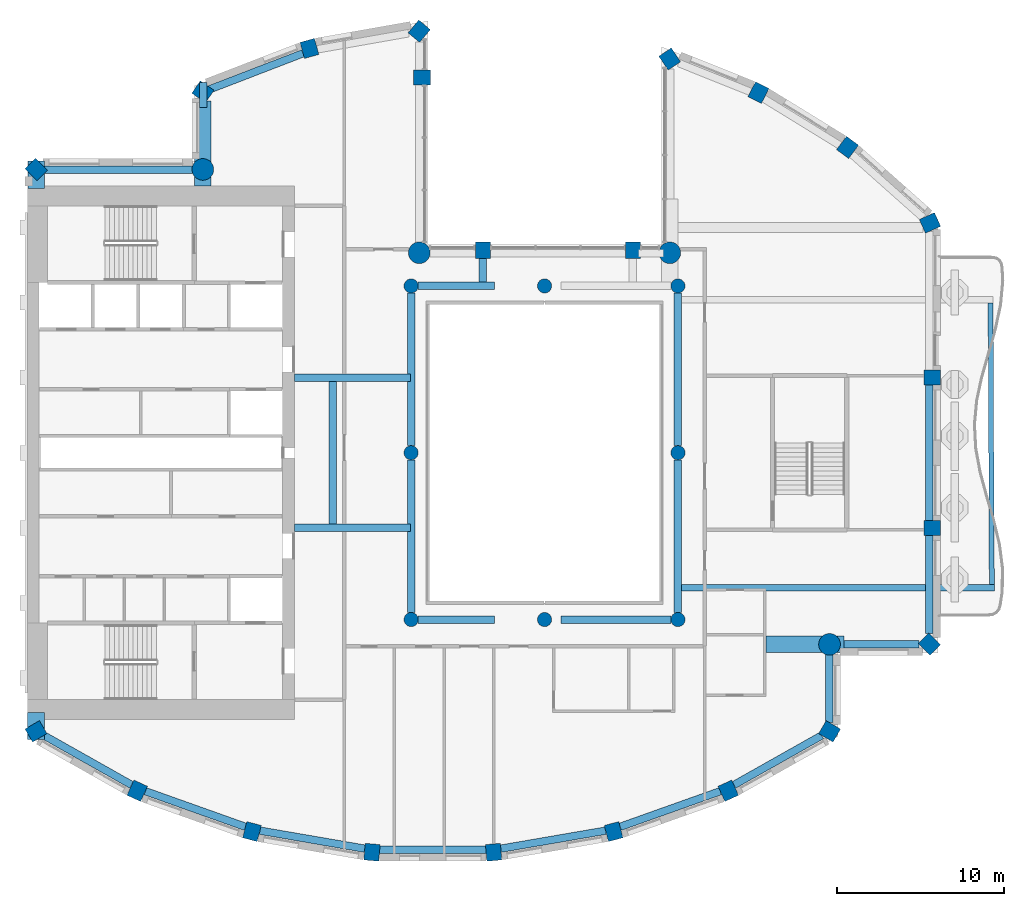
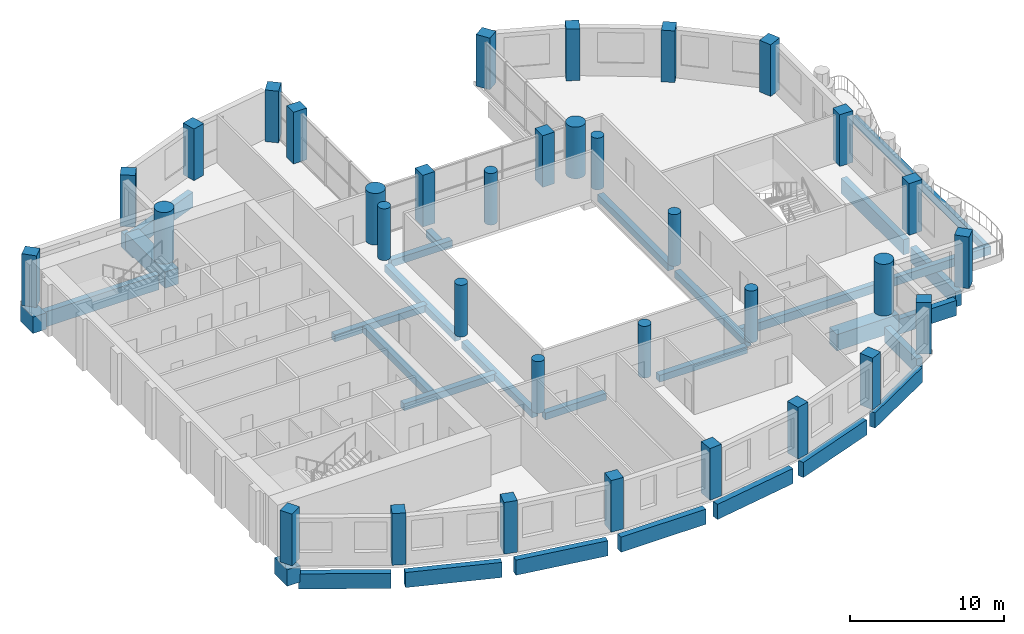
# One storey, part 1 of 15: 34 columns, 31 beams.
"""IFC4 building model written with IfcOpenShell, lengths in metres."""

from ifc_helpers import new_model, si_unit, direction, frame, origin, origin_2d, place, context, subcontext, project, spatial, rectangle, circle, extrude, material, material_profile, profile_set, type_object, element, save


model = new_model("IFC4")

# Units and contexts
model_context = context("Model", 3, precision=1e-05, world=origin(), true_north=direction((0.0, 1.0)))
body_context = subcontext(model_context, "Body", "Model", "MODEL_VIEW")
ifc_project = project(units=[si_unit("LENGTHUNIT", "METRE"), si_unit("AREAUNIT", "SQUARE_METRE"), si_unit("VOLUMEUNIT", "CUBIC_METRE"), si_unit("PLANEANGLEUNIT", "RADIAN"), si_unit("MASSUNIT", "GRAM", prefix="KILO")], contexts=[model_context])

# Site, building, storey
site_placement = place(None, origin())
site = spatial("IfcSite", under=ifc_project, at=site_placement, CompositionType="ELEMENT")
building_placement = place(site_placement, origin())
building = spatial("IfcBuilding", under=site, at=building_placement, Name="Cypress Arch Tower", CompositionType="ELEMENT")
storey_placement = place(building_placement, frame((0.0, 0.0, 243.39990234375)))
storey = spatial("IfcBuildingStorey", under=building, at=storey_placement, Name="L54", CompositionType="ELEMENT", Elevation=243.39990234375)

# Columns
ifc_material_1 = material(Name="Concrete C60/75", Category="concrete")
ifc_material_profile_1 = material_profile(ifc_material_1, rectangle(XDim=0.89990234375, YDim=1.0, at=origin_2d()), Name="RC 900x1000")
ifc_profile_set_1 = profile_set([ifc_material_profile_1], Name="Concrete C60/75")
column_type_1 = type_object("IfcColumnType", Name="Column RC 900x1000 Concrete C60/75", PredefinedType="COLUMN", material=ifc_profile_set_1)
for number, where, z_axis, x_axis, name in (
    (1, (8.5029296875, 23.606201171875, 0.0), (0.0, 0.0, 1.0), (-0.828469606019, -0.560034027451, 0.0), "Column L54 CC00"),
    (2, (6.300048828125, 12.14990234375, 0.0), (0.0, 0.0, 1.0), (-1.0, 0.0, 0.0), "Column L54 CC02"),
    (3, (-2.699951171875, 12.14990234375, 0.0), (0.0, 0.0, 1.0), (-1.0, 0.0, 0.0), "Column L54 CC03"),
    (4, (-6.35009765625, 22.5, 0.0), (0.0, 0.0, 1.0), (0.0, 1.0, 0.0), "Column L54 CC05"),
    (5, (-6.51611328125, 25.27490234375, 0.0), (0.0, 0.0, 1.0), (-0.766063514674, 0.642764880407, 0.0), "Column L54 CC06"),
    (6, (-13.0947265625, 24.241455078125, 0.0), (0.0, 0.0, 1.0), (-0.96345574646, -0.267867550506, 0.0), "Column L54 CC07"),
    (7, (-19.483154296875, 21.645263671875, 0.0), (0.0, 0.0, 1.0), (-0.565892599589, -0.824478966215, 0.0), "Column L54 CC08"),
    (8, (-29.478271484375, 16.978271484375, 0.0), (0.0, 0.0, 1.0), (-0.707106781187, -0.707106781187, 0.0), "Column L54 CC10"),
    (9, (-29.4912109375, -16.702880859375, 0.0), (0.0, 0.0, 1.0), (0.504399289829, -0.86347053014, 0.0), "Column L54 CC11"),
    (10, (-23.4189453125, -20.266845703125, 0.0), (0.0, 0.0, 1.0), (0.909932071487, -0.414757308891, 0.0), "Column L54 CC12"),
    (11, (-16.541748046875, -22.714599609375, 0.0), (0.0, 0.0, 1.0), (0.96735573689, -0.2534223319, 0.0), "Column L54 CC13"),
    (12, (-9.346923828125, -23.95361328125, 0.0), (0.0, 0.0, 1.0), (0.996368206733, -0.085149260784, 0.0), "Column L54 CC14"),
    (13, (-2.052978515625, -23.95361328125, 0.0), (0.0, 0.0, 1.0), (0.996368206733, 0.085149260784, 0.0), "Column L54 CC15"),
    (14, (5.1416015625, -22.714599609375, 0.0), (0.0, 0.0, 1.0), (0.96735573689, 0.2534223319, 0.0), "Column L54 CC16"),
    (15, (12.01904296875, -20.266845703125, 0.0), (0.0, 0.0, 1.0), (0.909932071487, 0.414757308891, 0.0), "Column L54 CC17"),
    (16, (18.09130859375, -16.702880859375, 0.0), (0.0, 0.0, 1.0), (0.504399289829, 0.86347053014, 0.0), "Column L54 CC18"),
    (17, (24.078369140625, -11.478271484375, 0.0), (0.0, 0.0, 1.0), (0.707106781187, 0.707106781187, 0.0), "Column L54 CC20"),
    (18, (24.25, -4.5, 0.0), (0.0, 0.0, 1.0), (0.0, 1.0, 0.0), "Column L54 CC21"),
    (19, (24.25, 4.5, 0.0), (0.0, 0.0, 1.0), (0.0, 1.0, 0.0), "Column L54 CC22"),
    (20, (24.109619140625, 13.77978515625, 0.0), (0.0, 0.0, 1.0), (-0.409765058504, 0.912191096662, 0.0), "Column L54 CC23"),
    (21, (19.168212890625, 18.307861328125, 0.0), (0.0, 0.0, 1.0), (-0.802798546114, 0.596250362144, 0.0), "Column L54 CC24"),
    (22, (13.82568359375, 21.59375, 0.0), (0.0, 0.0, 1.0), (-0.893106499805, 0.44984528452, 0.0), "Column L54 CC25"),
):
    element("IfcColumn", number, at=place(storey_placement, frame(where, z_axis=z_axis, x_axis=x_axis)), inside=storey, type_object=column_type_1, Name=name, PredefinedType="COLUMN", context=body_context, shape_type="SweptSolid", body=[
        extrude(rectangle(XDim=0.89990234375, YDim=1.0, at=origin_2d()), origin(), (0.0, 0.0, 1.0), 4.10009765625),
    ])
ifc_material_2 = material(Name="Concrete C60/75", Category="concrete")
ifc_material_profile_2 = material_profile(ifc_material_2, circle(Radius=0.425048828125, at=origin_2d()), Name="RC D850")
ifc_profile_set_2 = profile_set([ifc_material_profile_2], Name="Concrete C60/75")
column_type_2 = type_object("IfcColumnType", Name="Column RC D850 Concrete C60/75", PredefinedType="COLUMN", material=ifc_profile_set_2)
for number, where, z_axis, x_axis, name in (
    (23, (-7.0, -10.0, 0.0), (0.0, 0.0, 1.0), (1.0, 0.0, 0.0), "Column L54 RNG-L54-G-7-10"),
    (24, (-7.0, 0.0, 0.0), (0.0, 0.0, 1.0), (1.0, 0.0, 0.0), "Column L54 RNG-L54-G-7+0"),
    (25, (-7.0, 10.0, 0.0), (0.0, 0.0, 1.0), (1.0, 0.0, 0.0), "Column L54 RNG-L54-G-7+10"),
    (26, (1.0, -10.0, 0.0), (0.0, 0.0, 1.0), (1.0, 0.0, 0.0), "Column L54 RNG-L54-G+1-10"),
    (27, (1.0, 10.0, 0.0), (0.0, 0.0, 1.0), (1.0, 0.0, 0.0), "Column L54 RNG-L54-G+1+10"),
    (28, (9.0, -10.0, 0.0), (0.0, 0.0, 1.0), (1.0, 0.0, 0.0), "Column L54 RNG-L54-G+9-10"),
    (29, (9.0, 0.0, 0.0), (0.0, 0.0, 1.0), (1.0, 0.0, 0.0), "Column L54 RNG-L54-G+9+0"),
    (30, (9.0, 10.0, 0.0), (0.0, 0.0, 1.0), (1.0, 0.0, 0.0), "Column L54 RNG-L54-G+9+10"),
):
    element("IfcColumn", number, at=place(storey_placement, frame(where, z_axis=z_axis, x_axis=x_axis)), inside=storey, type_object=column_type_2, Name=name, PredefinedType="COLUMN", context=body_context, shape_type="SweptSolid", body=[
        extrude(circle(Radius=0.425048828125, at=origin_2d()), origin(), (0.0, 0.0, 1.0), 4.10009765625),
    ])
ifc_material_3 = material(Name="Concrete C60/75", Category="concrete")
ifc_material_profile_3 = material_profile(ifc_material_3, circle(Radius=0.64990234375, at=origin_2d()), Name="RC D1300")
ifc_profile_set_3 = profile_set([ifc_material_profile_3], Name="Concrete C60/75")
column_type_3 = type_object("IfcColumnType", Name="Mega-column RC D1300 Concrete C60/75", PredefinedType="COLUMN", material=ifc_profile_set_3)
for number, where, z_axis, x_axis, name in (
    (31, (8.51220703125, 11.98779296875, 0.0), (0.0, 0.0, 1.0), (1.0, 0.0, 0.0), "Column L54 CC01"),
    (32, (-6.51220703125, 11.98779296875, 0.0), (0.0, 0.0, 1.0), (1.0, 0.0, 0.0), "Column L54 CC04"),
    (33, (-19.48779296875, 16.98779296875, 0.0), (0.0, 0.0, 1.0), (1.0, 0.0, 0.0), "Column L54 CC09"),
    (34, (18.087890625, -11.48779296875, 0.0), (0.0, 0.0, 1.0), (1.0, 0.0, 0.0), "Column L54 CC19"),
):
    element("IfcColumn", number, at=place(storey_placement, frame(where, z_axis=z_axis, x_axis=x_axis)), inside=storey, type_object=column_type_3, Name=name, PredefinedType="COLUMN", context=body_context, shape_type="SweptSolid", body=[
        extrude(circle(Radius=0.64990234375, at=origin_2d()), origin(), (0.0, 0.0, 1.0), 4.10009765625),
    ])

# Beams
ifc_material_4 = material(Name="Concrete C50/60", Category="concrete")
ifc_material_profile_4 = material_profile(ifc_material_4, rectangle(XDim=0.300048828125, YDim=0.64990234375, at=origin_2d()), Name="RC 300x650")
ifc_profile_set_4 = profile_set([ifc_material_profile_4], Name="Concrete C50/60")
beam_type_1 = type_object("IfcBeamType", Name="Balcony edge beam RC 300x650 Concrete C50/60", PredefinedType="BEAM", material=ifc_profile_set_4)
beam_1_placement = place(storey_placement, frame((27.81787109375, -7.89990234375, -0.625), z_axis=(-0.004294909122, 0.999990776835, 0.0), x_axis=(-0.999990776835, -0.004294909122, 0.0)))
element("IfcBeam", 35, at=beam_1_placement, inside=storey, type_object=beam_type_1, Name="Balcony edge beam L54 C17", PredefinedType="BEAM", context=body_context, shape_type="SweptSolid", body=[
    extrude(rectangle(XDim=0.300048828125, YDim=0.64990234375, at=origin_2d()), origin(), (0.0, 0.0, 1.0), 16.8828125),
])
ifc_material_5 = material(Name="Concrete C50/60", Category="concrete")
ifc_material_profile_5 = material_profile(ifc_material_5, rectangle(XDim=0.39990234375, YDim=0.64990234375, at=origin_2d()), Name="RC 400x650")
ifc_profile_set_5 = profile_set([ifc_material_profile_5], Name="Concrete C50/60")
beam_type_2 = type_object("IfcBeamType", Name="Cantilever beam RC 400x650 Concrete C50/60", PredefinedType="BEAM", material=ifc_profile_set_5)
beam_2_placement = place(storey_placement, frame((9.22509765625, -8.10009765625, -0.625), z_axis=(1.0, 0.0, 0.0), x_axis=(0.0, 1.0, 0.0)))
element("IfcBeam", 36, at=beam_2_placement, inside=storey, type_object=beam_type_2, Name="Cantilever beam L54 C17 1", PredefinedType="BEAM", context=body_context, shape_type="SweptSolid", body=[
    extrude(rectangle(XDim=0.39990234375, YDim=0.64990234375, at=origin_2d()), origin(), (0.0, 0.0, 1.0), 18.742919921875),
])
ifc_material_6 = material(Name="Concrete C50/60", Category="concrete")
ifc_material_profile_6 = material_profile(ifc_material_6, rectangle(XDim=0.449951171875, YDim=0.550048828125, at=origin_2d()), Name="RC 450x550")
ifc_profile_set_6 = profile_set([ifc_material_profile_6], Name="Concrete C50/60")
beam_type_3 = type_object("IfcBeamType", Name="Floor beam RC 450x550 Concrete C50/60", PredefinedType="BEAM", material=ifc_profile_set_6)
for number, where, z_axis, x_axis, name in (
    (37, (-7.0, -9.574951171875, -0.574951171875), (0.0, 1.0, 0.0), (-1.0, 0.0, 0.0), "Floor beam L54 RB001"),
    (38, (-7.0, 0.425048828125, -0.574951171875), (0.0, 1.0, 0.0), (-1.0, 0.0, 0.0), "Floor beam L54 RB002"),
    (39, (9.0, -9.574951171875, -0.574951171875), (0.0, 1.0, 0.0), (-1.0, 0.0, 0.0), "Floor beam L54 RB003"),
    (40, (9.0, 0.425048828125, -0.574951171875), (0.0, 1.0, 0.0), (-1.0, 0.0, 0.0), "Floor beam L54 RB004"),
):
    element("IfcBeam", number, at=place(storey_placement, frame(where, z_axis=z_axis, x_axis=x_axis)), inside=storey, type_object=beam_type_3, Name=name, PredefinedType="BEAM", context=body_context, shape_type="SweptSolid", body=[
        extrude(rectangle(XDim=0.449951171875, YDim=0.550048828125, at=origin_2d()), origin(), (0.0, 0.0, 1.0), 9.14990234375),
    ])
beam_3_placement = place(storey_placement, frame((-6.574951171875, -10.0, -0.574951171875), z_axis=(1.0, 0.0, 0.0), x_axis=(0.0, 1.0, 0.0)))
element("IfcBeam", 41, at=beam_3_placement, inside=storey, type_object=beam_type_3, Name="Floor beam L54 RB005", PredefinedType="BEAM", context=body_context, shape_type="SweptSolid", body=[
    extrude(rectangle(XDim=0.449951171875, YDim=0.550048828125, at=origin_2d()), origin(), (0.0, 0.0, 1.0), 4.574951171875),
])
beam_4_placement = place(storey_placement, frame((2.0, -10.0, -0.574951171875), z_axis=(1.0, 0.0, 0.0), x_axis=(0.0, 1.0, 0.0)))
element("IfcBeam", 42, at=beam_4_placement, inside=storey, type_object=beam_type_3, Name="Floor beam L54 RB006", PredefinedType="BEAM", context=body_context, shape_type="SweptSolid", body=[
    extrude(rectangle(XDim=0.449951171875, YDim=0.550048828125, at=origin_2d()), origin(), (0.0, 0.0, 1.0), 6.574951171875),
])
beam_5_placement = place(storey_placement, frame((-6.574951171875, 10.0, -0.574951171875), z_axis=(1.0, 0.0, 0.0), x_axis=(0.0, 1.0, 0.0)))
element("IfcBeam", 43, at=beam_5_placement, inside=storey, type_object=beam_type_3, Name="Floor beam L54 RB007", PredefinedType="BEAM", context=body_context, shape_type="SweptSolid", body=[
    extrude(rectangle(XDim=0.449951171875, YDim=0.550048828125, at=origin_2d()), origin(), (0.0, 0.0, 1.0), 4.574951171875),
])
for number, where, z_axis, x_axis, name in (
    (44, (-14.0, -4.5, -0.574951171875), (1.0, 0.0, 0.0), (0.0, 1.0, 0.0), "Floor beam L54 FB009"),
    (45, (-14.0, 4.5, -0.574951171875), (1.0, 0.0, 0.0), (0.0, 1.0, 0.0), "Floor beam L54 FB010"),
):
    element("IfcBeam", number, at=place(storey_placement, frame(where, z_axis=z_axis, x_axis=x_axis)), inside=storey, type_object=beam_type_3, Name=name, PredefinedType="BEAM", context=body_context, shape_type="SweptSolid", body=[
        extrude(rectangle(XDim=0.449951171875, YDim=0.550048828125, at=origin_2d()), origin(), (0.0, 0.0, 1.0), 6.949951171875),
    ])
beam_6_placement = place(storey_placement, frame((-11.699951171875, -4.27490234375, -0.574951171875), z_axis=(0.0, 1.0, 0.0), x_axis=(-1.0, 0.0, 0.0)))
element("IfcBeam", 46, at=beam_6_placement, inside=storey, type_object=beam_type_3, Name="Floor beam L54 FB012", PredefinedType="BEAM", context=body_context, shape_type="SweptSolid", body=[
    extrude(rectangle(XDim=0.449951171875, YDim=0.550048828125, at=origin_2d()), origin(), (0.0, 0.0, 1.0), 8.5498046875),
])
beam_7_placement = place(storey_placement, frame((-2.699951171875, 10.22509765625, -0.574951171875), z_axis=(0.0, 1.0, 0.0), x_axis=(-1.0, 0.0, 0.0)))
element("IfcBeam", 47, at=beam_7_placement, inside=storey, type_object=beam_type_3, Name="Floor beam L54 FB013", PredefinedType="BEAM", context=body_context, shape_type="SweptSolid", body=[
    extrude(rectangle(XDim=0.449951171875, YDim=0.550048828125, at=origin_2d()), origin(), (0.0, 0.0, 1.0), 1.4248046875),
])
ifc_material_7 = material(Name="Concrete C50/60", Category="concrete")
ifc_material_profile_7 = material_profile(ifc_material_7, rectangle(XDim=0.449951171875, YDim=1.199951171875, at=origin_2d()), Name="RC 450x1200")
ifc_profile_set_7 = profile_set([ifc_material_profile_7], Name="Concrete C50/60")
beam_type_4 = type_object("IfcBeamType", Name="Spandrel beam RC 450x1200 Concrete C50/60", PredefinedType="SPANDREL", material=ifc_profile_set_7)
beam_8_placement = place(storey_placement, frame((-13.48046875, 23.94921875, -1.5498046875), z_axis=(-0.933143638393, -0.359503755373, 0.0), x_axis=(0.359503755373, -0.933143638393, 0.0)))
element("IfcBeam", 48, at=beam_8_placement, inside=storey, type_object=beam_type_4, Name="Spandrel beam L54 BC04-0", PredefinedType="SPANDREL", context=body_context, shape_type="SweptSolid", body=[
    extrude(rectangle(XDim=0.449951171875, YDim=1.199951171875, at=origin_2d()), origin(), (0.0, 0.0, 1.0), 6.578369140625),
])
beam_9_placement = place(storey_placement, frame((-19.47509765625, 22.198486328125, -1.5498046875), z_axis=(0.0, -1.0, 0.0), x_axis=(1.0, 0.0, 0.0)))
element("IfcBeam", 49, at=beam_9_placement, inside=storey, type_object=beam_type_4, Name="Spandrel beam L54 BC05-0", PredefinedType="SPANDREL", context=body_context, shape_type="SweptSolid", body=[
    extrude(rectangle(XDim=0.449951171875, YDim=1.199951171875, at=origin_2d()), origin(), (0.0, 0.0, 1.0), 1.5),
])
beam_10_placement = place(storey_placement, frame((-19.98779296875, 16.97509765625, -1.5498046875), z_axis=(-1.0, 0.0, 0.0), x_axis=(0.0, -1.0, 0.0)))
element("IfcBeam", 50, at=beam_10_placement, inside=storey, type_object=beam_type_4, Name="Spandrel beam L54 BC06-0", PredefinedType="SPANDREL", context=body_context, shape_type="SweptSolid", body=[
    extrude(rectangle(XDim=0.449951171875, YDim=1.199951171875, at=origin_2d()), origin(), (0.0, 0.0, 1.0), 8.990478515625),
])
beam_11_placement = place(storey_placement, frame((-28.9912109375, -16.966064453125, -1.5498046875), z_axis=(0.871063123869, -0.491171084487, 0.0), x_axis=(0.491171084487, 0.871063123869, 0.0)))
element("IfcBeam", 51, at=beam_11_placement, inside=storey, type_object=beam_type_4, Name="Spandrel beam L54 BC08-0", PredefinedType="SPANDREL", context=body_context, shape_type="SweptSolid", body=[
    extrude(rectangle(XDim=0.449951171875, YDim=1.199951171875, at=origin_2d()), origin(), (0.0, 0.0, 1.0), 6.011474609375),
])
beam_12_placement = place(storey_placement, frame((-22.93603515625, -20.2919921875, -1.5498046875), z_axis=(0.942120065582, -0.33527568064, 0.0), x_axis=(0.33527568064, 0.942120065582, 0.0)))
element("IfcBeam", 52, at=beam_12_placement, inside=storey, type_object=beam_type_4, Name="Spandrel beam L54 BC09-0", PredefinedType="SPANDREL", context=body_context, shape_type="SweptSolid", body=[
    extrude(rectangle(XDim=0.449951171875, YDim=1.199951171875, at=origin_2d()), origin(), (0.0, 0.0, 1.0), 6.373046875),
])
beam_13_placement = place(storey_placement, frame((-16.061279296875, -22.656982421875, -1.5498046875), z_axis=(0.985502990778, -0.169658053646, 0.0), x_axis=(0.169658053646, 0.985502990778, 0.0)))
element("IfcBeam", 53, at=beam_13_placement, inside=storey, type_object=beam_type_4, Name="Spandrel beam L54 BC10-0", PredefinedType="SPANDREL", context=body_context, shape_type="SweptSolid", body=[
    extrude(rectangle(XDim=0.449951171875, YDim=1.199951171875, at=origin_2d()), origin(), (0.0, 0.0, 1.0), 6.373291015625),
])
beam_14_placement = place(storey_placement, frame((-8.883544921875, -23.81494140625, -1.5498046875), z_axis=(1.0, 0.0, 0.0), x_axis=(0.0, 1.0, 0.0)))
element("IfcBeam", 54, at=beam_14_placement, inside=storey, type_object=beam_type_4, Name="Spandrel beam L54 BC11-0", PredefinedType="SPANDREL", context=body_context, shape_type="SweptSolid", body=[
    extrude(rectangle(XDim=0.449951171875, YDim=1.199951171875, at=origin_2d()), origin(), (0.0, 0.0, 1.0), 6.366943359375),
])
beam_15_placement = place(storey_placement, frame((-1.619873046875, -23.73828125, -1.5498046875), z_axis=(0.985504093315, 0.169651649149, 0.0), x_axis=(-0.169651649149, 0.985504093315, 0.0)))
element("IfcBeam", 55, at=beam_15_placement, inside=storey, type_object=beam_type_4, Name="Spandrel beam L54 BC12-0", PredefinedType="SPANDREL", context=body_context, shape_type="SweptSolid", body=[
    extrude(rectangle(XDim=0.449951171875, YDim=1.199951171875, at=origin_2d()), origin(), (0.0, 0.0, 1.0), 6.37353515625),
])
beam_16_placement = place(storey_placement, frame((5.531982421875, -22.4287109375, -1.5498046875), z_axis=(0.942115759102, 0.335287781541, 0.0), x_axis=(-0.335287781541, 0.942115759102, 0.0)))
element("IfcBeam", 56, at=beam_16_placement, inside=storey, type_object=beam_type_4, Name="Spandrel beam L54 BC13-0", PredefinedType="SPANDREL", context=body_context, shape_type="SweptSolid", body=[
    extrude(rectangle(XDim=0.449951171875, YDim=1.199951171875, at=origin_2d()), origin(), (0.0, 0.0, 1.0), 6.372802734375),
])
beam_17_placement = place(storey_placement, frame((12.35498046875, -19.918701171875, -1.5498046875), z_axis=(0.871059543975, 0.491177433165, 0.0), x_axis=(-0.491177433165, 0.871059543975, 0.0)))
element("IfcBeam", 57, at=beam_17_placement, inside=storey, type_object=beam_type_4, Name="Spandrel beam L54 BC14-0", PredefinedType="SPANDREL", context=body_context, shape_type="SweptSolid", body=[
    extrude(rectangle(XDim=0.449951171875, YDim=1.199951171875, at=origin_2d()), origin(), (0.0, 0.0, 1.0), 6.045654296875),
])
beam_18_placement = place(storey_placement, frame((18.074951171875, -16.172119140625, -1.5498046875), z_axis=(0.0, 1.0, 0.0), x_axis=(-1.0, 0.0, 0.0)))
element("IfcBeam", 58, at=beam_18_placement, inside=storey, type_object=beam_type_4, Name="Spandrel beam L54 BC15-0", PredefinedType="SPANDREL", context=body_context, shape_type="SweptSolid", body=[
    extrude(rectangle(XDim=0.449951171875, YDim=1.199951171875, at=origin_2d()), origin(), (0.0, 0.0, 1.0), 4.184326171875),
])
beam_19_placement = place(storey_placement, frame((18.951416015625, -11.47509765625, -1.5498046875), z_axis=(1.0, 0.0, 0.0), x_axis=(0.0, 1.0, 0.0)))
element("IfcBeam", 59, at=beam_19_placement, inside=storey, type_object=beam_type_4, Name="Spandrel beam L54 BC16-0", PredefinedType="SPANDREL", context=body_context, shape_type="SweptSolid", body=[
    extrude(rectangle(XDim=0.449951171875, YDim=1.199951171875, at=origin_2d()), origin(), (0.0, 0.0, 1.0), 4.4873046875),
])
beam_20_placement = place(storey_placement, frame((24.074951171875, -10.838623046875, -1.5498046875), z_axis=(0.0, 1.0, 0.0), x_axis=(-1.0, 0.0, 0.0)))
element("IfcBeam", 60, at=beam_20_placement, inside=storey, type_object=beam_type_4, Name="Spandrel beam L54 BC17-0", PredefinedType="SPANDREL", context=body_context, shape_type="SweptSolid", body=[
    extrude(rectangle(XDim=0.449951171875, YDim=1.199951171875, at=origin_2d()), origin(), (0.0, 0.0, 1.0), 5.888671875),
])
beam_21_placement = place(storey_placement, frame((24.074951171875, -4.050048828125, -1.5498046875), z_axis=(0.0, 1.0, 0.0), x_axis=(-1.0, 0.0, 0.0)))
element("IfcBeam", 61, at=beam_21_placement, inside=storey, type_object=beam_type_4, Name="Spandrel beam L54 BC17-1", PredefinedType="SPANDREL", context=body_context, shape_type="SweptSolid", body=[
    extrude(rectangle(XDim=0.449951171875, YDim=1.199951171875, at=origin_2d()), origin(), (0.0, 0.0, 1.0), 8.10009765625),
])
ifc_material_8 = material(Name="Concrete C80/95", Category="concrete")
ifc_material_profile_8 = material_profile(ifc_material_8, rectangle(XDim=1.0, YDim=1.300048828125, at=origin_2d()), Name="RC 1000x1300")
ifc_profile_set_8 = profile_set([ifc_material_profile_8], Name="Concrete C80/95")
beam_type_5 = type_object("IfcBeamType", Name="Transfer girder RC 1000x1300 Concrete C80/95", PredefinedType="BEAM", material=ifc_profile_set_8)
beam_22_placement = place(storey_placement, frame((-19.48779296875, 16.0, -0.949951171875), z_axis=(0.0, 1.0, 0.0), x_axis=(-1.0, 0.0, 0.0)))
element("IfcBeam", 62, at=beam_22_placement, inside=storey, type_object=beam_type_5, Name="Transfer girder L54 CC09", PredefinedType="BEAM", context=body_context, shape_type="SweptSolid", body=[
    extrude(rectangle(XDim=1.0, YDim=1.300048828125, at=origin_2d()), origin(), (0.0, 0.0, 1.0), 5.102783203125),
])
for number, where, z_axis, x_axis, name in (
    (63, (-29.478271484375, 17.478271484375, -0.949951171875), (0.0, -1.0, 0.0), (1.0, 0.0, 0.0), "Transfer girder L54 CC10"),
    (64, (-29.4912109375, -17.202880859375, -0.949951171875), (0.0, 1.0, 0.0), (-1.0, 0.0, 0.0), "Transfer girder L54 CC11"),
):
    element("IfcBeam", number, at=place(storey_placement, frame(where, z_axis=z_axis, x_axis=x_axis)), inside=storey, type_object=beam_type_5, Name=name, PredefinedType="BEAM", context=body_context, shape_type="SweptSolid", body=[
        extrude(rectangle(XDim=1.0, YDim=1.300048828125, at=origin_2d()), origin(), (0.0, 0.0, 1.0), 1.625),
    ])
beam_23_placement = place(storey_placement, frame((14.287841796875, -11.48779296875, -0.949951171875), z_axis=(1.0, 0.0, 0.0), x_axis=(0.0, 1.0, 0.0)))
element("IfcBeam", 65, at=beam_23_placement, inside=storey, type_object=beam_type_5, Name="Transfer girder L54 CC19", PredefinedType="BEAM", context=body_context, shape_type="SweptSolid", body=[
    extrude(rectangle(XDim=1.0, YDim=1.300048828125, at=origin_2d()), origin(), (0.0, 0.0, 1.0), 4.66357421875),
])

save(model, "model.ifc")
